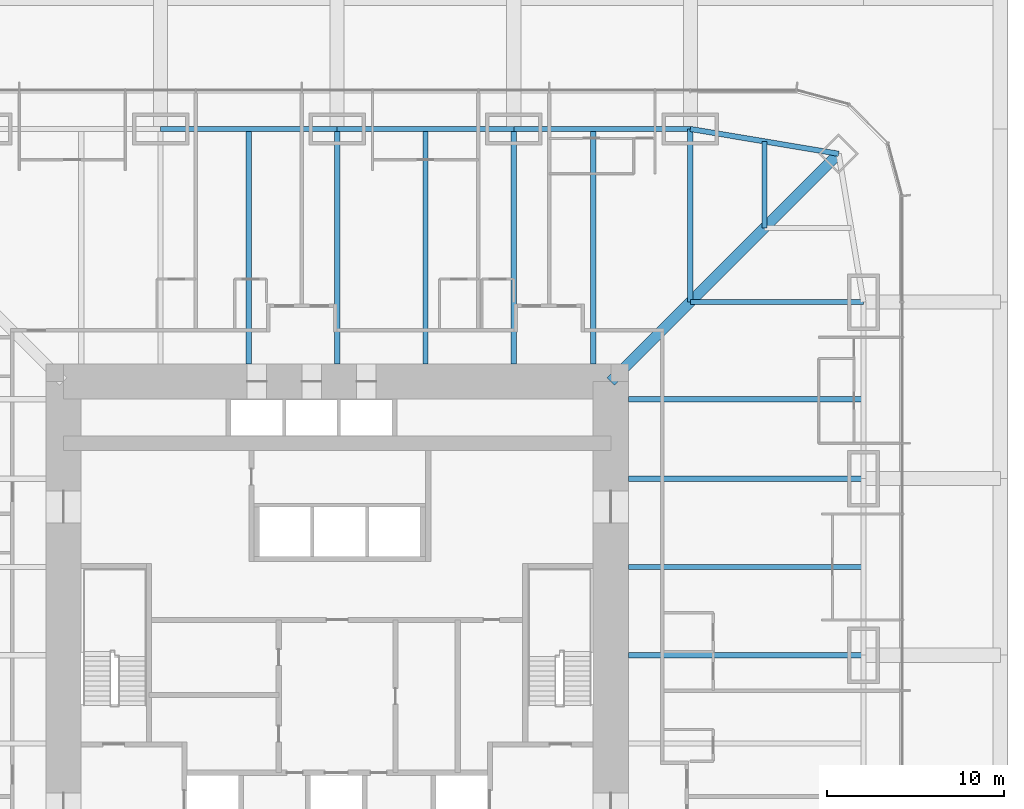
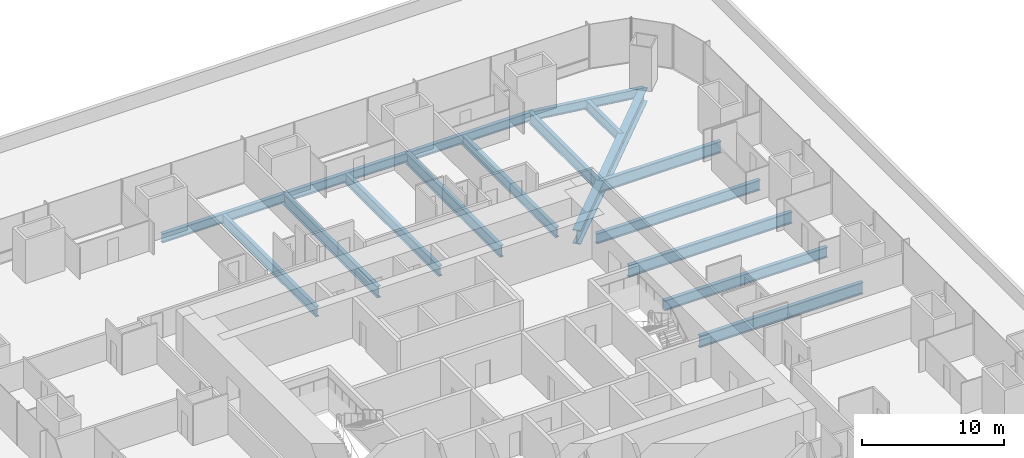
# One storey, part 7 of 20: 17 beams.
"""IFC4 building model written with IfcOpenShell, lengths in metres."""

from ifc_helpers import new_model, si_unit, direction, frame, origin, origin_2d, place, context, subcontext, project, spatial, i_section, extrude, material, material_profile, profile_set, type_object, element, save


model = new_model("IFC4")

# Units and contexts
model_context = context("Model", 3, precision=1e-05, world=origin(), true_north=direction((0.0, 1.0)))
body_context = subcontext(model_context, "Body", "Model", "MODEL_VIEW")
ifc_project = project(units=[si_unit("LENGTHUNIT", "METRE"), si_unit("AREAUNIT", "SQUARE_METRE"), si_unit("VOLUMEUNIT", "CUBIC_METRE"), si_unit("PLANEANGLEUNIT", "RADIAN"), si_unit("MASSUNIT", "GRAM", prefix="KILO")], contexts=[model_context])

# Site, building, storey
site_placement = place(None, origin())
site = spatial("IfcSite", under=ifc_project, at=site_placement, CompositionType="ELEMENT")
building_placement = place(site_placement, origin())
building = spatial("IfcBuilding", under=site, at=building_placement, Name="Khuree Lantern Residences", CompositionType="ELEMENT")
storey_placement = place(building_placement, frame((0.0, 0.0, 21.0)))
storey = spatial("IfcBuildingStorey", under=building, at=storey_placement, Name="L04", CompositionType="ELEMENT", Elevation=21.0)

# Beams
ifc_material = material(Name="Steel S355", Category="steel")
ifc_material_profile_1 = material_profile(ifc_material, i_section(OverallWidth=0.300048828125, OverallDepth=0.889892578125, WebThickness=0.01611328125, FlangeThickness=0.030029296875, FilletRadius=0.030029296875, at=origin_2d()), Name="HE 900 A")
ifc_profile_set_1 = profile_set([ifc_material_profile_1], Name="Steel S355")
beam_type_1 = type_object("IfcBeamType", Name="B-11 SECONDARY BEAM HE 900 A", PredefinedType="BEAM", material=ifc_profile_set_1)
for number, where, z_axis, x_axis, name in (
    (1, (-5.0, 29.800048828125, -0.695068359375), (0.0, -1.0, 0.0), (1.0, 0.0, 0.0), "Secondary beam N2"),
    (2, (5.0, 29.800048828125, -0.695068359375), (0.0, -1.0, 0.0), (1.0, 0.0, 0.0), "Secondary beam N3"),
    (3, (14.5, 29.800048828125, -0.695068359375), (0.0, -1.0, 0.0), (1.0, 0.0, 0.0), "Secondary beam N4"),
):
    element("IfcBeam", number, at=place(storey_placement, frame(where, z_axis=z_axis, x_axis=x_axis)), inside=storey, type_object=beam_type_1, Name=name, PredefinedType="BEAM", context=body_context, shape_type="SweptSolid", body=[
        extrude(i_section(OverallWidth=0.300048828125, OverallDepth=0.889892578125, WebThickness=0.01611328125, FlangeThickness=0.030029296875, FilletRadius=0.030029296875, at=origin_2d()), origin(), (0.0, 0.0, 1.0), 13.300048828125),
    ])
beam_1_placement = place(storey_placement, frame((24.197021484375, 29.09716796875, -0.695068359375), z_axis=(0.0, -1.0, 0.0), x_axis=(1.0, 0.0, 0.0)))
element("IfcBeam", 4, at=beam_1_placement, inside=storey, type_object=beam_type_1, Name="Secondary beam N5", PredefinedType="BEAM", context=body_context, shape_type="SweptSolid", body=[
    extrude(i_section(OverallWidth=0.300048828125, OverallDepth=0.889892578125, WebThickness=0.01611328125, FlangeThickness=0.030029296875, FilletRadius=0.030029296875, at=origin_2d()), origin(), (0.0, 0.0, 1.0), 4.900146484375),
])
for number, where, z_axis, x_axis, name in (
    (5, (29.800048828125, 14.5, -0.695068359375), (-1.0, 0.0, 0.0), (0.0, -1.0, 0.0), "Secondary beam E2"),
    (6, (29.800048828125, 5.0, -0.695068359375), (-1.0, 0.0, 0.0), (0.0, -1.0, 0.0), "Secondary beam E3"),
):
    element("IfcBeam", number, at=place(storey_placement, frame(where, z_axis=z_axis, x_axis=x_axis)), inside=storey, type_object=beam_type_1, Name=name, PredefinedType="BEAM", context=body_context, shape_type="SweptSolid", body=[
        extrude(i_section(OverallWidth=0.300048828125, OverallDepth=0.889892578125, WebThickness=0.01611328125, FlangeThickness=0.030029296875, FilletRadius=0.030029296875, at=origin_2d()), origin(), (0.0, 0.0, 1.0), 13.300048828125),
    ])
ifc_material_profile_2 = material_profile(ifc_material, i_section(OverallWidth=0.300048828125, OverallDepth=0.7900390625, WebThickness=0.014892578125, FlangeThickness=0.028076171875, FilletRadius=0.030029296875, at=origin_2d()), Name="HE 800 A")
ifc_profile_set_2 = profile_set([ifc_material_profile_2], Name="Steel S355")
beam_type_2 = type_object("IfcBeamType", Name="E-11 SPANDREL BEAM HE 800 A", PredefinedType="SPANDREL", material=ifc_profile_set_2)
for number, where, z_axis, x_axis, name in (
    (7, (-10.0, 29.800048828125, -0.64501953125), (1.0, 0.0, 0.0), (0.0, 1.0, 0.0), "Spandrel beam N2"),
    (8, (0.0, 29.800048828125, -0.64501953125), (1.0, 0.0, 0.0), (0.0, 1.0, 0.0), "Spandrel beam N3"),
    (9, (10.0, 29.800048828125, -0.64501953125), (1.0, 0.0, 0.0), (0.0, 1.0, 0.0), "Spandrel beam N4"),
):
    element("IfcBeam", number, at=place(storey_placement, frame(where, z_axis=z_axis, x_axis=x_axis)), inside=storey, type_object=beam_type_2, Name=name, PredefinedType="SPANDREL", context=body_context, shape_type="SweptSolid", body=[
        extrude(i_section(OverallWidth=0.300048828125, OverallDepth=0.7900390625, WebThickness=0.014892578125, FlangeThickness=0.028076171875, FilletRadius=0.030029296875, at=origin_2d()), origin(), (0.0, 0.0, 1.0), 10.0),
    ])
beam_2_placement = place(storey_placement, frame((20.0, 29.800048828125, -0.64501953125), z_axis=(0.986260251158, -0.165199022349, 0.0), x_axis=(0.165199022349, 0.986260251158, 0.0)))
element("IfcBeam", 10, at=beam_2_placement, inside=storey, type_object=beam_type_2, Name="Spandrel beam N5", PredefinedType="SPANDREL", context=body_context, shape_type="SweptSolid", body=[
    extrude(i_section(OverallWidth=0.300048828125, OverallDepth=0.7900390625, WebThickness=0.014892578125, FlangeThickness=0.028076171875, FilletRadius=0.030029296875, at=origin_2d()), origin(), (0.0, 0.0, 1.0), 8.510986328125),
])
ifc_material_profile_3 = material_profile(ifc_material, i_section(OverallWidth=0.302001953125, OverallDepth=1.008056640625, WebThickness=0.02099609375, FlangeThickness=0.0400390625, FilletRadius=0.030029296875, at=origin_2d()), Name="HE 1000 M")
ifc_profile_set_3 = profile_set([ifc_material_profile_3], Name="Steel S355")
beam_type_3 = type_object("IfcBeamType", Name="G-11 GIRDER HE 1000 M", PredefinedType="BEAM", material=ifc_profile_set_3)
for number, where, z_axis, x_axis, name in (
    (11, (0.0, 29.800048828125, -0.75390625), (0.0, -1.0, 0.0), (1.0, 0.0, 0.0), "Girder N3"),
    (12, (10.0, 29.800048828125, -0.75390625), (0.0, -1.0, 0.0), (1.0, 0.0, 0.0), "Girder N4"),
):
    element("IfcBeam", number, at=place(storey_placement, frame(where, z_axis=z_axis, x_axis=x_axis)), inside=storey, type_object=beam_type_3, Name=name, PredefinedType="BEAM", context=body_context, shape_type="SweptSolid", body=[
        extrude(i_section(OverallWidth=0.302001953125, OverallDepth=1.008056640625, WebThickness=0.02099609375, FlangeThickness=0.0400390625, FilletRadius=0.030029296875, at=origin_2d()), origin(), (0.0, 0.0, 1.0), 13.300048828125),
    ])
for number, where, z_axis, x_axis, name in (
    (13, (20.0, 29.800048828125, -0.75390625), (0.0, -1.0, 0.0), (1.0, 0.0, 0.0), "Girder N5"),
    (14, (29.800048828125, 20.0, -0.75390625), (-1.0, 0.0, 0.0), (0.0, -1.0, 0.0), "Girder E1"),
):
    element("IfcBeam", number, at=place(storey_placement, frame(where, z_axis=z_axis, x_axis=x_axis)), inside=storey, type_object=beam_type_3, Name=name, PredefinedType="BEAM", context=body_context, shape_type="SweptSolid", body=[
        extrude(i_section(OverallWidth=0.302001953125, OverallDepth=1.008056640625, WebThickness=0.02099609375, FlangeThickness=0.0400390625, FilletRadius=0.030029296875, at=origin_2d()), origin(), (0.0, 0.0, 1.0), 9.800048828125),
    ])
for number, where, z_axis, x_axis, name in (
    (15, (29.800048828125, 10.0, -0.75390625), (-1.0, 0.0, 0.0), (0.0, -1.0, 0.0), "Girder E2"),
    (16, (29.800048828125, 0.0, -0.75390625), (-1.0, 0.0, 0.0), (0.0, -1.0, 0.0), "Girder E3"),
):
    element("IfcBeam", number, at=place(storey_placement, frame(where, z_axis=z_axis, x_axis=x_axis)), inside=storey, type_object=beam_type_3, Name=name, PredefinedType="BEAM", context=body_context, shape_type="SweptSolid", body=[
        extrude(i_section(OverallWidth=0.302001953125, OverallDepth=1.008056640625, WebThickness=0.02099609375, FlangeThickness=0.0400390625, FilletRadius=0.030029296875, at=origin_2d()), origin(), (0.0, 0.0, 1.0), 13.300048828125),
    ])
ifc_material_profile_4 = material_profile(ifc_material, i_section(OverallWidth=0.60009765625, OverallDepth=1.199951171875, WebThickness=0.030029296875, FlangeThickness=0.06005859375, at=origin_2d()), Name="WELDED I 1200X600X30X60")
ifc_profile_set_4 = profile_set([ifc_material_profile_4], Name="Steel S355")
beam_type_4 = type_object("IfcBeamType", Name="GD-11 CORNER GIRDER WELDED I 1200X600X30X60", PredefinedType="BEAM", material=ifc_profile_set_4)
beam_3_placement = place(storey_placement, frame((28.39404296875, 28.39404296875, -0.85009765625), z_axis=(-0.707106781187, -0.707106781187, 0.0), x_axis=(0.707106781187, -0.707106781187, 0.0)))
element("IfcBeam", 17, at=beam_3_placement, inside=storey, type_object=beam_type_4, Name="Corner girder NE", PredefinedType="BEAM", context=body_context, shape_type="SweptSolid", body=[
    extrude(i_section(OverallWidth=0.60009765625, OverallDepth=1.199951171875, WebThickness=0.030029296875, FlangeThickness=0.06005859375, at=origin_2d()), origin(), (0.0, 0.0, 1.0), 18.23486328125),
])

save(model, "model.ifc")
